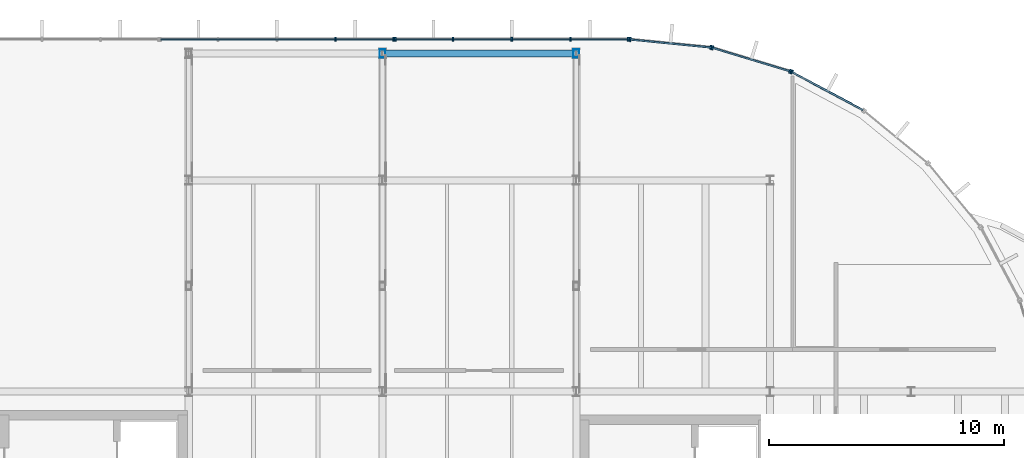
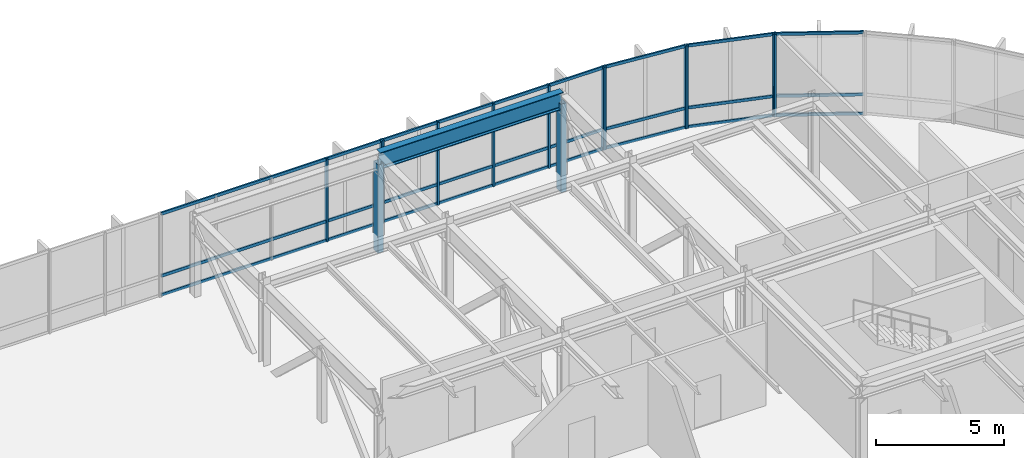
# One storey, part 14 of 29: 29 members, 1 beam, 5 elements without a shape of their own.
"""IFC4 building model written with IfcOpenShell, lengths in metres."""

from ifc_helpers import new_model, si_unit, direction, frame, origin, origin_2d, place, context, subcontext, project, spatial, rectangle, hollow_rectangle, i_section, extrude, material, layer, layer_set, material_profile, profile_set, type_object, element, aggregate, save


model = new_model("IFC4")

# Units and contexts
model_context = context("Model", 3, precision=1e-05, world=origin(), true_north=direction((0.0, 1.0)))
body_context = subcontext(model_context, "Body", "Model", "MODEL_VIEW")
ifc_project = project(units=[si_unit("LENGTHUNIT", "METRE"), si_unit("AREAUNIT", "SQUARE_METRE"), si_unit("VOLUMEUNIT", "CUBIC_METRE"), si_unit("PLANEANGLEUNIT", "RADIAN"), si_unit("MASSUNIT", "GRAM", prefix="KILO")], contexts=[model_context])

# Site, building, storey
site_placement = place(None, origin())
site = spatial("IfcSite", under=ifc_project, at=site_placement, CompositionType="ELEMENT")
building_placement = place(site_placement, origin())
building = spatial("IfcBuilding", under=site, at=building_placement, Name="Montealbar Specialist Clinic", CompositionType="ELEMENT")
storey_placement = place(building_placement, frame((0.0, 0.0, 22.199951171875)))
storey = spatial("IfcBuildingStorey", under=building, at=storey_placement, Name="L05", CompositionType="ELEMENT", Elevation=22.199951171875)

# Beam
ifc_material_1 = material(Name="Steel S355", Category="steel")
ifc_material_profile_1 = material_profile(ifc_material_1, i_section(OverallWidth=0.300048828125, OverallDepth=0.800048828125, WebThickness=0.017578125, FlangeThickness=0.032958984375, FilletRadius=0.030029296875, at=origin_2d()), Name="HEB 800", Category="steel")
ifc_profile_set_1 = profile_set([ifc_material_profile_1], Name="Steel S355")
beam_type = type_object("IfcBeamType", Name="BM-XFER-HEB800-EXT", PredefinedType="BEAM", material=ifc_profile_set_1)
beam_placement = place(storey_placement, frame((82.5, 50.39990234375, 3.5400390625), z_axis=(1.0, 0.0, 0.0), x_axis=(0.0, 1.0, 0.0)))
element("IfcBeam", 1, at=beam_placement, inside=storey, type_object=beam_type, Name="North Hall Cantilever Tie Girder L05 Y=50.4", PredefinedType="BEAM", context=body_context, shape_type="SweptSolid", body=[
    extrude(i_section(OverallWidth=0.300048828125, OverallDepth=0.800048828125, WebThickness=0.017578125, FlangeThickness=0.032958984375, FilletRadius=0.030029296875, at=origin_2d()), origin(), (0.0, 0.0, 1.0), 8.25),
])

# Curtain wall, members
ifc_material_2 = material(Name="Low-E double glazing", Category="glass")
ifc_layer_1 = layer(ifc_material_2, 0.199951171875, Name="Low-E double glazing", Category="glass")
ifc_layer_set_1 = layer_set([ifc_layer_1], Name="Low-E double glazing")
curtain_wall_type_1 = type_object("IfcCurtainWallType", Name="CW-TYPE-38", PredefinedType="NOTDEFINED", material=ifc_layer_set_1)
curtain_wall_1_placement = place(storey_placement, origin())
curtain_wall_1 = element("IfcCurtainWall", 2, at=curtain_wall_1_placement, inside=storey, type_object=curtain_wall_type_1, Name="Unitised Curtain Wall CW-L05-730-510-830-510-222", PredefinedType="NOTDEFINED")
ifc_material_3 = material(Name="Anodised aluminium EN AW-6063", Category="aluminium")
ifc_material_profile_2 = material_profile(ifc_material_3, rectangle(XDim=0.070068359375, YDim=0.179931640625, at=origin_2d()), Name="ALU 70x180", Category="aluminium")
ifc_profile_set_2 = profile_set([ifc_material_profile_2], Name="Anodised aluminium EN AW-6063")
member_type_1 = type_object("IfcMemberType", Name="CW-MUL-200", PredefinedType="MULLION", material=ifc_profile_set_2)
member_1_placement = place(storey_placement, frame((80.5, 51.0, 0.0), z_axis=(0.0, 0.0, 1.0), x_axis=(1.0, 0.0, 0.0)))
member_1 = element("IfcMember", 3, at=member_1_placement, type_object=member_type_1, Name="Curtain Wall Mullion CW-L05-730-510-830-510-222-03", PredefinedType="MULLION", context=body_context, shape_type="SweptSolid", body=[
    extrude(rectangle(XDim=0.070068359375, YDim=0.179931640625, at=origin_2d()), origin(), (0.0, 0.0, 1.0), 3.93994140625),
])
member_2_placement = place(storey_placement, frame((82.9599609375, 51.0, 0.0), z_axis=(0.0, 0.0, 1.0), x_axis=(1.0, 0.0, 0.0)))
member_2 = element("IfcMember", 4, at=member_2_placement, type_object=member_type_1, Name="Curtain Wall Mullion CW-L05-730-510-830-510-222-04", PredefinedType="MULLION", context=body_context, shape_type="SweptSolid", body=[
    extrude(rectangle(XDim=0.070068359375, YDim=0.179931640625, at=origin_2d()), origin(), (0.0, 0.0, 1.0), 3.93994140625),
])

curtain_wall_2_placement = place(storey_placement, origin())
curtain_wall_2 = element("IfcCurtainWall", 5, at=curtain_wall_2_placement, inside=storey, type_object=curtain_wall_type_1, Name="Unitised Curtain Wall CW-L05-830-510-930-510-222", PredefinedType="NOTDEFINED")
member_3_placement = place(storey_placement, frame((83.0400390625, 51.0, 0.0), z_axis=(0.0, 0.0, 1.0), x_axis=(1.0, 0.0, 0.0)))
member_3 = element("IfcMember", 6, at=member_3_placement, type_object=member_type_1, Name="Curtain Wall Mullion CW-L05-830-510-930-510-222-00", PredefinedType="MULLION", context=body_context, shape_type="SweptSolid", body=[
    extrude(rectangle(XDim=0.070068359375, YDim=0.179931640625, at=origin_2d()), origin(), (0.0, 0.0, 1.0), 3.93994140625),
])
member_4_placement = place(storey_placement, frame((85.5, 51.0, 0.0), z_axis=(0.0, 0.0, 1.0), x_axis=(1.0, 0.0, 0.0)))
member_4 = element("IfcMember", 7, at=member_4_placement, type_object=member_type_1, Name="Curtain Wall Mullion CW-L05-830-510-930-510-222-01", PredefinedType="MULLION", context=body_context, shape_type="SweptSolid", body=[
    extrude(rectangle(XDim=0.070068359375, YDim=0.179931640625, at=origin_2d()), origin(), (0.0, 0.0, 1.0), 3.93994140625),
])
member_5_placement = place(storey_placement, frame((88.0, 51.0, 0.0), z_axis=(0.0, 0.0, 1.0), x_axis=(1.0, 0.0, 0.0)))
member_5 = element("IfcMember", 8, at=member_5_placement, type_object=member_type_1, Name="Curtain Wall Mullion CW-L05-830-510-930-510-222-02", PredefinedType="MULLION", context=body_context, shape_type="SweptSolid", body=[
    extrude(rectangle(XDim=0.070068359375, YDim=0.179931640625, at=origin_2d()), origin(), (0.0, 0.0, 1.0), 3.93994140625),
])
member_6_placement = place(storey_placement, frame((90.5, 51.0, 0.0), z_axis=(0.0, 0.0, 1.0), x_axis=(1.0, 0.0, 0.0)))
member_6 = element("IfcMember", 9, at=member_6_placement, type_object=member_type_1, Name="Curtain Wall Mullion CW-L05-830-510-930-510-222-03", PredefinedType="MULLION", context=body_context, shape_type="SweptSolid", body=[
    extrude(rectangle(XDim=0.070068359375, YDim=0.179931640625, at=origin_2d()), origin(), (0.0, 0.0, 1.0), 3.93994140625),
])
member_7_placement = place(storey_placement, frame((92.9599609375, 51.0, 0.0), z_axis=(0.0, 0.0, 1.0), x_axis=(1.0, 0.0, 0.0)))
member_7 = element("IfcMember", 10, at=member_7_placement, type_object=member_type_1, Name="Curtain Wall Mullion CW-L05-830-510-930-510-222-04", PredefinedType="MULLION", context=body_context, shape_type="SweptSolid", body=[
    extrude(rectangle(XDim=0.070068359375, YDim=0.179931640625, at=origin_2d()), origin(), (0.0, 0.0, 1.0), 3.93994140625),
])

ifc_layer_2 = layer(ifc_material_2, 0.199951171875, Name="Low-E double glazing", Category="glass")
ifc_layer_set_2 = layer_set([ifc_layer_2], Name="Low-E double glazing")
curtain_wall_type_2 = type_object("IfcCurtainWallType", Name="CW-TYPE-19", PredefinedType="NOTDEFINED", material=ifc_layer_set_2)
curtain_wall_3_placement = place(storey_placement, origin())
curtain_wall_3 = element("IfcCurtainWall", 11, at=curtain_wall_3_placement, inside=storey, type_object=curtain_wall_type_2, Name="Unitised Curtain Wall CW-L05-930-510-965-507-222", PredefinedType="NOTDEFINED")
member_8_placement = place(storey_placement, frame((93.0400390625, 50.99609375, 0.0), z_axis=(0.0, 0.0, 1.0), x_axis=(0.995182012183, -0.098044697094, 0.0)))
member_8 = element("IfcMember", 12, at=member_8_placement, type_object=member_type_1, Name="Curtain Wall Mullion CW-L05-930-510-965-507-222-00", PredefinedType="MULLION", context=body_context, shape_type="SweptSolid", body=[
    extrude(rectangle(XDim=0.070068359375, YDim=0.179931640625, at=origin_2d()), origin(), (0.0, 0.0, 1.0), 3.93994140625),
])
member_9_placement = place(storey_placement, frame((96.471923828125, 50.657958984375, 0.0), z_axis=(0.0, 0.0, 1.0), x_axis=(0.995182012183, -0.098044697094, 0.0)))
member_9 = element("IfcMember", 13, at=member_9_placement, type_object=member_type_1, Name="Curtain Wall Mullion CW-L05-930-510-965-507-222-01", PredefinedType="MULLION", context=body_context, shape_type="SweptSolid", body=[
    extrude(rectangle(XDim=0.070068359375, YDim=0.179931640625, at=origin_2d()), origin(), (0.0, 0.0, 1.0), 3.93994140625),
])

curtain_wall_4_placement = place(storey_placement, origin())
curtain_wall_4 = element("IfcCurtainWall", 14, at=curtain_wall_4_placement, inside=storey, type_object=curtain_wall_type_2, Name="Unitised Curtain Wall CW-L05-965-507-999-496-222", PredefinedType="NOTDEFINED")
member_10_placement = place(storey_placement, frame((96.550048828125, 50.64208984375, 0.0), z_axis=(0.0, 0.0, 1.0), x_axis=(0.956948083701, -0.290259134399, 0.0)))
member_10 = element("IfcMember", 15, at=member_10_placement, type_object=member_type_1, Name="Curtain Wall Mullion CW-L05-965-507-999-496-222-00", PredefinedType="MULLION", context=body_context, shape_type="SweptSolid", body=[
    extrude(rectangle(XDim=0.070068359375, YDim=0.179931640625, at=origin_2d()), origin(), (0.0, 0.0, 1.0), 3.93994140625),
])
member_11_placement = place(storey_placement, frame((99.85009765625, 49.64208984375, 0.0), z_axis=(0.0, 0.0, 1.0), x_axis=(0.956948083701, -0.290259134399, 0.0)))
member_11 = element("IfcMember", 16, at=member_11_placement, type_object=member_type_1, Name="Curtain Wall Mullion CW-L05-965-507-999-496-222-01", PredefinedType="MULLION", context=body_context, shape_type="SweptSolid", body=[
    extrude(rectangle(XDim=0.070068359375, YDim=0.179931640625, at=origin_2d()), origin(), (0.0, 0.0, 1.0), 3.93994140625),
])

# Curtain wall, member
curtain_wall_5_placement = place(storey_placement, origin())
curtain_wall_5 = element("IfcCurtainWall", 17, at=curtain_wall_5_placement, inside=storey, type_object=curtain_wall_type_2, Name="Unitised Curtain Wall CW-L05-999-496-1030-480-222", PredefinedType="NOTDEFINED")
member_12_placement = place(storey_placement, frame((99.923095703125, 49.611083984375, 0.0), z_axis=(0.0, 0.0, 1.0), x_axis=(0.881850411644, -0.471529268958, 0.0)))
member_12 = element("IfcMember", 18, at=member_12_placement, type_object=member_type_1, Name="Curtain Wall Mullion CW-L05-999-496-1030-480-222-00", PredefinedType="MULLION", context=body_context, shape_type="SweptSolid", body=[
    extrude(rectangle(XDim=0.070068359375, YDim=0.179931640625, at=origin_2d()), origin(), (0.0, 0.0, 1.0), 3.93994140625),
])

# Member
ifc_material_4 = material(Name="Powder-coated aluminium", Category="aluminium")
ifc_material_profile_3 = material_profile(ifc_material_4, rectangle(XDim=0.070068359375, YDim=0.139892578125, at=origin_2d()), Name="ALU 70x140", Category="aluminium")
ifc_profile_set_3 = profile_set([ifc_material_profile_3], Name="Powder-coated aluminium")
member_type_2 = type_object("IfcMemberType", Name="CW-TRN-140", PredefinedType="USERDEFINED", material=ifc_profile_set_3)
member_13_placement = place(storey_placement, frame((73.050048828125, 51.0, 0.0400390625), z_axis=(1.0, 0.0, 0.0), x_axis=(0.0, 1.0, 0.0)))
member_13 = element("IfcMember", 19, at=member_13_placement, type_object=member_type_2, Name="Curtain Wall Transom CW-L05-730-510-830-510-222-00", ObjectType="TRANSOM", PredefinedType="USERDEFINED", context=body_context, shape_type="SweptSolid", body=[
    extrude(rectangle(XDim=0.070068359375, YDim=0.139892578125, at=origin_2d()), origin(), (0.0, 0.0, 1.0), 9.89990234375),
])

member_14_placement = place(storey_placement, frame((73.050048828125, 51.0, 0.949951171875), z_axis=(1.0, 0.0, 0.0), x_axis=(0.0, 1.0, 0.0)))
member_14 = element("IfcMember", 20, at=member_14_placement, type_object=member_type_2, Name="Curtain Wall Transom CW-L05-730-510-830-510-222-01", ObjectType="TRANSOM", PredefinedType="USERDEFINED", context=body_context, shape_type="SweptSolid", body=[
    extrude(rectangle(XDim=0.070068359375, YDim=0.139892578125, at=origin_2d()), origin(), (0.0, 0.0, 1.0), 9.89990234375),
])

member_15_placement = place(storey_placement, frame((73.050048828125, 51.0, 3.900146484375), z_axis=(1.0, 0.0, 0.0), x_axis=(0.0, 1.0, 0.0)))
member_15 = element("IfcMember", 21, at=member_15_placement, type_object=member_type_2, Name="Curtain Wall Transom CW-L05-730-510-830-510-222-02", ObjectType="TRANSOM", PredefinedType="USERDEFINED", context=body_context, shape_type="SweptSolid", body=[
    extrude(rectangle(XDim=0.070068359375, YDim=0.139892578125, at=origin_2d()), origin(), (0.0, 0.0, 1.0), 9.89990234375),
])

aggregate(curtain_wall_1, [member_1, member_2, member_13, member_14, member_15])

member_16_placement = place(storey_placement, frame((83.050048828125, 51.0, 0.0400390625), z_axis=(1.0, 0.0, 0.0), x_axis=(0.0, 1.0, 0.0)))
member_16 = element("IfcMember", 22, at=member_16_placement, type_object=member_type_2, Name="Curtain Wall Transom CW-L05-830-510-930-510-222-00", ObjectType="TRANSOM", PredefinedType="USERDEFINED", context=body_context, shape_type="SweptSolid", body=[
    extrude(rectangle(XDim=0.070068359375, YDim=0.139892578125, at=origin_2d()), origin(), (0.0, 0.0, 1.0), 9.89990234375),
])

member_17_placement = place(storey_placement, frame((83.050048828125, 51.0, 0.949951171875), z_axis=(1.0, 0.0, 0.0), x_axis=(0.0, 1.0, 0.0)))
member_17 = element("IfcMember", 23, at=member_17_placement, type_object=member_type_2, Name="Curtain Wall Transom CW-L05-830-510-930-510-222-01", ObjectType="TRANSOM", PredefinedType="USERDEFINED", context=body_context, shape_type="SweptSolid", body=[
    extrude(rectangle(XDim=0.070068359375, YDim=0.139892578125, at=origin_2d()), origin(), (0.0, 0.0, 1.0), 9.89990234375),
])

member_18_placement = place(storey_placement, frame((83.050048828125, 51.0, 3.900146484375), z_axis=(1.0, 0.0, 0.0), x_axis=(0.0, 1.0, 0.0)))
member_18 = element("IfcMember", 24, at=member_18_placement, type_object=member_type_2, Name="Curtain Wall Transom CW-L05-830-510-930-510-222-02", ObjectType="TRANSOM", PredefinedType="USERDEFINED", context=body_context, shape_type="SweptSolid", body=[
    extrude(rectangle(XDim=0.070068359375, YDim=0.139892578125, at=origin_2d()), origin(), (0.0, 0.0, 1.0), 9.89990234375),
])

aggregate(curtain_wall_2, [member_3, member_4, member_5, member_6, member_7, member_16, member_17, member_18])

member_19_placement = place(storey_placement, frame((93.050048828125, 50.9951171875, 0.0400390625), z_axis=(0.995180678623, -0.098058232162, 0.0), x_axis=(0.098058232162, 0.995180678623, 0.0)))
member_19 = element("IfcMember", 25, at=member_19_placement, type_object=member_type_2, Name="Curtain Wall Transom CW-L05-930-510-965-507-222-00", ObjectType="TRANSOM", PredefinedType="USERDEFINED", context=body_context, shape_type="SweptSolid", body=[
    extrude(rectangle(XDim=0.070068359375, YDim=0.139892578125, at=origin_2d()), origin(), (0.0, 0.0, 1.0), 3.428466796875),
])

member_20_placement = place(storey_placement, frame((93.050048828125, 50.9951171875, 0.949951171875), z_axis=(0.995180678623, -0.098058232162, 0.0), x_axis=(0.098058232162, 0.995180678623, 0.0)))
member_20 = element("IfcMember", 26, at=member_20_placement, type_object=member_type_2, Name="Curtain Wall Transom CW-L05-930-510-965-507-222-01", ObjectType="TRANSOM", PredefinedType="USERDEFINED", context=body_context, shape_type="SweptSolid", body=[
    extrude(rectangle(XDim=0.070068359375, YDim=0.139892578125, at=origin_2d()), origin(), (0.0, 0.0, 1.0), 3.428466796875),
])

member_21_placement = place(storey_placement, frame((93.050048828125, 50.9951171875, 3.900146484375), z_axis=(0.995180678623, -0.098058232162, 0.0), x_axis=(0.098058232162, 0.995180678623, 0.0)))
member_21 = element("IfcMember", 27, at=member_21_placement, type_object=member_type_2, Name="Curtain Wall Transom CW-L05-930-510-965-507-222-02", ObjectType="TRANSOM", PredefinedType="USERDEFINED", context=body_context, shape_type="SweptSolid", body=[
    extrude(rectangle(XDim=0.070068359375, YDim=0.139892578125, at=origin_2d()), origin(), (0.0, 0.0, 1.0), 3.428466796875),
])

aggregate(curtain_wall_3, [member_8, member_9, member_19, member_20, member_21])

member_22_placement = place(storey_placement, frame((96.56005859375, 50.638916015625, 0.0400390625), z_axis=(0.957028598092, -0.289993555849, 0.0), x_axis=(0.289993555849, 0.957028598092, 0.0)))
member_22 = element("IfcMember", 28, at=member_22_placement, type_object=member_type_2, Name="Curtain Wall Transom CW-L05-965-507-999-496-222-00", ObjectType="TRANSOM", PredefinedType="USERDEFINED", context=body_context, shape_type="SweptSolid", body=[
    extrude(rectangle(XDim=0.070068359375, YDim=0.139892578125, at=origin_2d()), origin(), (0.0, 0.0, 1.0), 3.42724609375),
])

member_23_placement = place(storey_placement, frame((96.56005859375, 50.638916015625, 0.949951171875), z_axis=(0.957028598092, -0.289993555849, 0.0), x_axis=(0.289993555849, 0.957028598092, 0.0)))
member_23 = element("IfcMember", 29, at=member_23_placement, type_object=member_type_2, Name="Curtain Wall Transom CW-L05-965-507-999-496-222-01", ObjectType="TRANSOM", PredefinedType="USERDEFINED", context=body_context, shape_type="SweptSolid", body=[
    extrude(rectangle(XDim=0.070068359375, YDim=0.139892578125, at=origin_2d()), origin(), (0.0, 0.0, 1.0), 3.42724609375),
])

member_24_placement = place(storey_placement, frame((96.56005859375, 50.638916015625, 3.900146484375), z_axis=(0.957028598092, -0.289993555849, 0.0), x_axis=(0.289993555849, 0.957028598092, 0.0)))
member_24 = element("IfcMember", 30, at=member_24_placement, type_object=member_type_2, Name="Curtain Wall Transom CW-L05-965-507-999-496-222-02", ObjectType="TRANSOM", PredefinedType="USERDEFINED", context=body_context, shape_type="SweptSolid", body=[
    extrude(rectangle(XDim=0.070068359375, YDim=0.139892578125, at=origin_2d()), origin(), (0.0, 0.0, 1.0), 3.42724609375),
])

aggregate(curtain_wall_4, [member_10, member_11, member_22, member_23, member_24])

member_25_placement = place(storey_placement, frame((99.931884765625, 49.60595703125, 0.0400390625), z_axis=(0.881980147273, -0.471286558069, 0.0), x_axis=(0.471286558069, 0.881980147273, 0.0)))
member_25 = element("IfcMember", 31, at=member_25_placement, type_object=member_type_2, Name="Curtain Wall Transom CW-L05-999-496-1030-480-222-00", ObjectType="TRANSOM", PredefinedType="USERDEFINED", context=body_context, shape_type="SweptSolid", body=[
    extrude(rectangle(XDim=0.070068359375, YDim=0.139892578125, at=origin_2d()), origin(), (0.0, 0.0, 1.0), 3.428955078125),
])

member_26_placement = place(storey_placement, frame((99.931884765625, 49.60595703125, 0.949951171875), z_axis=(0.881980147273, -0.471286558069, 0.0), x_axis=(0.471286558069, 0.881980147273, 0.0)))
member_26 = element("IfcMember", 32, at=member_26_placement, type_object=member_type_2, Name="Curtain Wall Transom CW-L05-999-496-1030-480-222-01", ObjectType="TRANSOM", PredefinedType="USERDEFINED", context=body_context, shape_type="SweptSolid", body=[
    extrude(rectangle(XDim=0.070068359375, YDim=0.139892578125, at=origin_2d()), origin(), (0.0, 0.0, 1.0), 3.428955078125),
])

member_27_placement = place(storey_placement, frame((99.931884765625, 49.60595703125, 3.900146484375), z_axis=(0.881980147273, -0.471286558069, 0.0), x_axis=(0.471286558069, 0.881980147273, 0.0)))
member_27 = element("IfcMember", 33, at=member_27_placement, type_object=member_type_2, Name="Curtain Wall Transom CW-L05-999-496-1030-480-222-02", ObjectType="TRANSOM", PredefinedType="USERDEFINED", context=body_context, shape_type="SweptSolid", body=[
    extrude(rectangle(XDim=0.070068359375, YDim=0.139892578125, at=origin_2d()), origin(), (0.0, 0.0, 1.0), 3.428955078125),
])

aggregate(curtain_wall_5, [member_12, member_25, member_26, member_27])

# Members
ifc_material_profile_4 = material_profile(ifc_material_1, hollow_rectangle(XDim=0.25, YDim=0.35009765625, WallThickness=0.012451171875, at=origin_2d()), Name="RHS 350x250x12.5", Category="steel")
ifc_profile_set_4 = profile_set([ifc_material_profile_4], Name="Steel S355")
member_type_3 = type_object("IfcMemberType", Name="MB-TRUSS-POST", PredefinedType="BRACE", material=ifc_profile_set_4)
for number, where, z_axis, x_axis, name in (
    (34, (82.5, 50.39990234375, -0.7900390625), (0.0, 0.0, 1.0), (1.0, 0.0, 0.0), "Transfer truss TT-N3 vertical post 3"),
    (35, (90.75, 50.39990234375, -0.7900390625), (0.0, 0.0, 1.0), (1.0, 0.0, 0.0), "Transfer truss TT-N4 vertical post 3"),
):
    element("IfcMember", number, at=place(storey_placement, frame(where, z_axis=z_axis, x_axis=x_axis)), inside=storey, type_object=member_type_3, Name=name, PredefinedType="BRACE", context=body_context, shape_type="SweptSolid", body=[
        extrude(hollow_rectangle(XDim=0.25, YDim=0.35009765625, WallThickness=0.012451171875, at=origin_2d()), origin(), (0.0, 0.0, 1.0), 4.2001953125),
    ])

save(model, "model.ifc")
